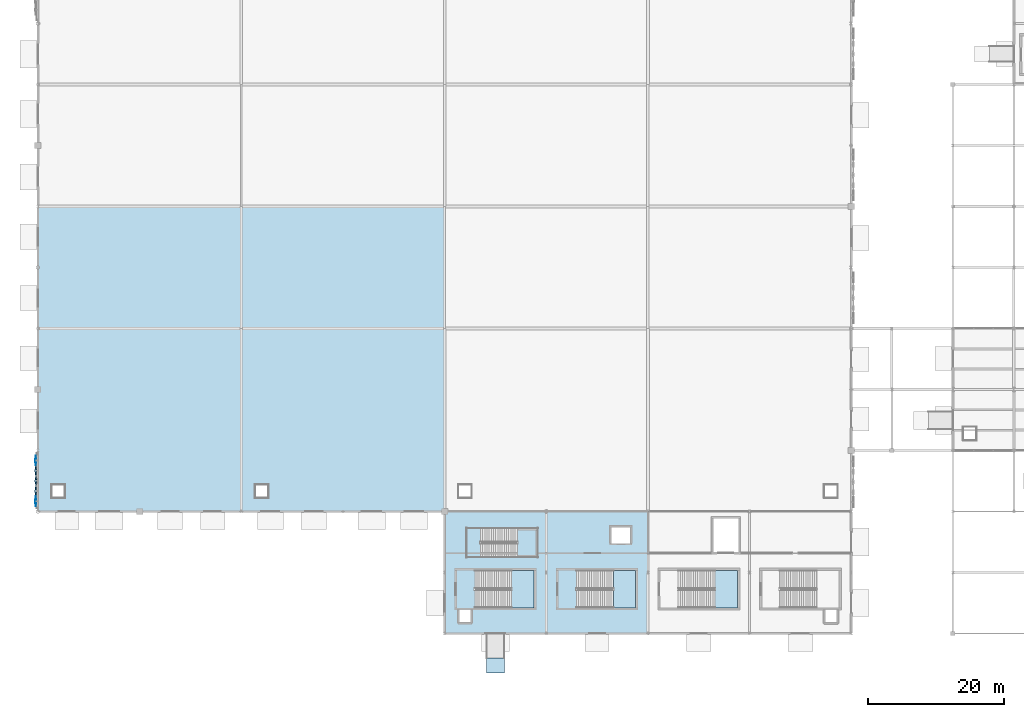
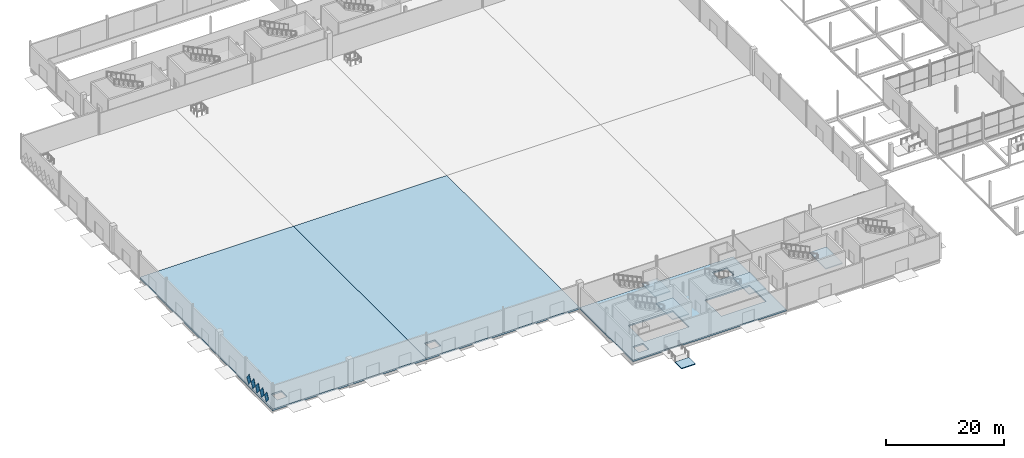
# One storey, part 43 of 94: 8 slabs, 5 plates, 5 elements without a shape of their own.
"""IFC4 building model written with IfcOpenShell, lengths in metres."""

import ifcopenshell
import ifcopenshell.guid

model = None  # the IFC model being written
_history = None  # IfcOwnerHistory: only IFC2X3 demands one
_inside = {}  # id of a spatial element -> (the spatial element, [elements in it])
_under = {}  # id of a project, library or spatial element -> (it, [spatial elements below it])
_declared = {}  # id of a project -> (the project, [libraries it declares])
_typed = {}  # id of a type object -> (the type object, [elements of that type])
_made_of = {}  # id of a material, layer set ... -> (it, [elements and type objects made of it])


def new_model(schema):
    """Start an empty IFC model of exactly this schema.

    Asked for "IFC4X3", IfcOpenShell would pick the latest addendum, in which some entities
    have other attributes; the version numbers below select the first issue.
    IFC2X3 requires an IfcOwnerHistory on every rooted entity: one is made here for all.
    """
    global model, _history
    if schema == "IFC4X3":
        model = ifcopenshell.file(schema_version=(4, 3, 0, 0))
    else:
        model = ifcopenshell.file(schema=schema)
    _inside.clear()
    _under.clear()
    _declared.clear()
    _typed.clear()
    _made_of.clear()
    _history = None
    if model.schema == "IFC2X3":
        org = make("IfcOrganization", Name="unknown")
        user = make(
            "IfcPersonAndOrganization",
            ThePerson=make("IfcPerson", FamilyName="unknown"),
            TheOrganization=org,
        )
        app = make(
            "IfcApplication",
            ApplicationDeveloper=org,
            Version="unknown",
            ApplicationFullName="unknown",
            ApplicationIdentifier="unknown",
        )
        _history = make(
            "IfcOwnerHistory",
            OwningUser=user,
            OwningApplication=app,
            ChangeAction="ADDED",
            CreationDate=0,
        )
    return model


def make(cls, **values):
    """One entity of the class cls with the attributes given. An attribute that is None is left unset."""
    return model.create_entity(
        cls, **{name: value for name, value in values.items() if value is not None}
    )


def rooted(cls, **values):
    """An entity with a GlobalId (a new one), such as an element, a storey or a relation."""
    return make(cls, GlobalId=ifcopenshell.guid.new(), OwnerHistory=_history, **values)


def si_unit(unit_type, name, prefix=None):
    """IfcSIUnit, for example si_unit("LENGTHUNIT", "METRE", prefix="MILLI")."""
    return make("IfcSIUnit", UnitType=unit_type, Prefix=prefix, Name=name)


def assignment(units):
    """IfcUnitAssignment: the units of a project."""
    return None if units is None else make("IfcUnitAssignment", Units=units)


def point(xyz):
    """IfcCartesianPoint."""
    return None if xyz is None else make("IfcCartesianPoint", Coordinates=xyz)


def direction(xyz):
    """IfcDirection."""
    return None if xyz is None else make("IfcDirection", DirectionRatios=xyz)


def frame(location, z_axis=None, x_axis=None):
    """IfcAxis2Placement3D, a coordinate frame: its origin and axes. An axis left out is left unset."""
    return make(
        "IfcAxis2Placement3D",
        Location=point(location),
        Axis=direction(z_axis),
        RefDirection=direction(x_axis),
    )


def origin():
    """The frame at (0, 0, 0) with its axes left unset."""
    return frame((0.0, 0.0, 0.0))


def place(relative_to, where):
    """IfcLocalPlacement: puts the frame where relative to a parent placement (None: the world)."""
    return make(
        "IfcLocalPlacement", PlacementRelTo=relative_to, RelativePlacement=where
    )


def context(
    kind, dimensions, precision=None, world=None, true_north=None, identifier=None
):
    """IfcGeometricRepresentationContext, for example the 3D "Model" context."""
    return make(
        "IfcGeometricRepresentationContext",
        ContextIdentifier=identifier,
        ContextType=kind,
        CoordinateSpaceDimension=dimensions,
        Precision=precision,
        WorldCoordinateSystem=world,
        TrueNorth=true_north,
    )


def subcontext(parent, identifier, kind, view, scale=None):
    """IfcGeometricRepresentationSubContext, for example "Body" below "Model"."""
    return make(
        "IfcGeometricRepresentationSubContext",
        ContextIdentifier=identifier,
        ContextType=kind,
        ParentContext=parent,
        TargetScale=scale,
        TargetView=view,
    )


def project(units=None, contexts=None):
    """IfcProject with its units and contexts."""
    return rooted(
        "IfcProject",
        Name="project",
        RepresentationContexts=contexts,
        UnitsInContext=assignment(units),
    )


def spatial(cls, under=None, at=None, **own):
    """A site, building, storey or space (cls), placed at a placement, below another one or the project."""
    s = rooted(cls, ObjectPlacement=at, **own)
    if under is not None:
        _under.setdefault(under.id(), (under, []))[1].append(s)
    return s


def polyline(points):
    """IfcPolyline through the points."""
    return make("IfcPolyline", Points=[point(p) for p in points])


def outline(outer, holes=None, kind="AREA"):
    """IfcArbitraryClosedProfileDef: a profile drawn as a closed curve; with holes, ...WithVoids."""
    if holes is None:
        return make("IfcArbitraryClosedProfileDef", ProfileType=kind, OuterCurve=outer)
    return make(
        "IfcArbitraryProfileDefWithVoids",
        ProfileType=kind,
        OuterCurve=outer,
        InnerCurves=holes,
    )


def extrude(swept, where, along, depth):
    """IfcExtrudedAreaSolid: the profile swept, set in the frame where, extruded along a direction by depth."""
    return make(
        "IfcExtrudedAreaSolid",
        SweptArea=swept,
        Position=where,
        ExtrudedDirection=direction(along),
        Depth=depth,
    )


def shape(context_of_items, identifier, shape_type, items):
    """IfcShapeRepresentation: the items that make up one representation, for example the "Body"."""
    return make(
        "IfcShapeRepresentation",
        ContextOfItems=context_of_items,
        RepresentationIdentifier=identifier,
        RepresentationType=shape_type,
        Items=items,
    )


def material(Name=None, Category=None):
    """IfcMaterial."""
    return make("IfcMaterial", Name=Name, Category=Category)


def layer(
    of_material, thickness, ventilated=None, Name=None, Category=None, Priority=None
):
    """IfcMaterialLayer: one layer of a wall or slab, of a material (None: an air gap)."""
    return make(
        "IfcMaterialLayer",
        Material=of_material,
        LayerThickness=thickness,
        IsVentilated=ventilated,
        Name=Name,
        Category=Category,
        Priority=Priority,
    )


def layer_set(layers, Name=None):
    """IfcMaterialLayerSet."""
    return make("IfcMaterialLayerSet", MaterialLayers=layers, LayerSetName=Name)


def made_of(thing, what):
    """Note that an element or type object is made of a material, layer set ...; save() writes the relation."""
    if what is not None:
        _made_of.setdefault(what.id(), (what, []))[1].append(thing)
    return thing


def type_object(cls, material=None, **own):
    """A type object (cls), such as IfcWallType, which elements share."""
    return made_of(rooted(cls, **own), material)


def element(
    cls,
    number,
    at=None,
    inside=None,
    cuts=None,
    type_object=None,
    material=None,
    context=None,
    identifier="Body",
    shape_type=None,
    held_by="IfcProductDefinitionShape",
    body=None,
    shapes=None,
    **own,
):
    """One element of the class cls, such as IfcWall. Its Tag is "e" and its number.

    at: its placement. inside: the storey or other place that contains it. cuts: it is an
    opening in that element (IfcRelVoidsElement). A single representation is given by context,
    identifier, shape_type and body (its items); several are given by shapes. held_by: the class
    of the entity that holds the representations. save() writes the other relations.
    """
    e = rooted(cls, Tag="e%d" % number, ObjectPlacement=at, **own)
    if body is not None:
        shapes = [shape(context, identifier, shape_type, body)]
    if shapes is not None:
        e.Representation = make(held_by, Representations=shapes)
    if inside is not None:
        _inside.setdefault(inside.id(), (inside, []))[1].append(e)
    if cuts is not None:
        rooted(
            "IfcRelVoidsElement", RelatingBuildingElement=cuts, RelatedOpeningElement=e
        )
    if type_object is not None:
        _typed.setdefault(type_object.id(), (type_object, []))[1].append(e)
    return made_of(e, material)


def aggregate(whole, parts):
    """IfcRelAggregates: a whole, such as a stair, and the parts it consists of."""
    return rooted("IfcRelAggregates", RelatingObject=whole, RelatedObjects=parts)


def save(model, path):
    """Write the relations noted so far, then the file.

    IfcRelAggregates (storeys below a building ...), IfcRelContainedInSpatialStructure (elements
    in a storey), IfcRelDefinesByType, IfcRelAssociatesMaterial and IfcRelDeclares: one each for
    every whole, place, type object, material and project.
    """
    for whole, parts in _under.values():
        aggregate(whole, parts)
    for where, things in _inside.values():
        rooted(
            "IfcRelContainedInSpatialStructure",
            RelatedElements=things,
            RelatingStructure=where,
        )
    for kind, things in _typed.values():
        rooted("IfcRelDefinesByType", RelatedObjects=things, RelatingType=kind)
    for what, things in _made_of.values():
        rooted("IfcRelAssociatesMaterial", RelatedObjects=things, RelatingMaterial=what)
    for by, libraries in _declared.values():
        rooted("IfcRelDeclares", RelatingContext=by, RelatedDefinitions=libraries)
    model.write(path)


model = new_model("IFC4")

# Units and contexts
model_context = context("Model", 3, precision=1e-05, world=origin(), true_north=direction((0.0, 1.0)))
body_context = subcontext(model_context, "Body", "Model", "MODEL_VIEW")
ifc_project = project(units=[si_unit("LENGTHUNIT", "METRE"), si_unit("AREAUNIT", "SQUARE_METRE"), si_unit("VOLUMEUNIT", "CUBIC_METRE"), si_unit("PLANEANGLEUNIT", "RADIAN"), si_unit("MASSUNIT", "GRAM", prefix="KILO")], contexts=[model_context])

# Site, building, storey
site_placement = place(None, origin())
site = spatial("IfcSite", under=ifc_project, at=site_placement, CompositionType="ELEMENT")
building_placement = place(site_placement, origin())
building = spatial("IfcBuilding", under=site, at=building_placement, Name="Qamarlyn Nura Convention Centre", CompositionType="ELEMENT")
storey_placement = place(building_placement, origin())
storey = spatial("IfcBuildingStorey", under=building, at=storey_placement, Name="L00", CompositionType="ELEMENT", Elevation=0.0)

# Plates
ifc_material_1 = material(Name="White high-albedo PVDF aluminium composite sheet", Category="aluminium")
ifc_layer_1 = layer(ifc_material_1, 0.02392578125, Name="FP-DIAM-03")
ifc_layer_set_1 = layer_set([ifc_layer_1], Name="White high-albedo PVDF aluminium composite sheet")
plate_type_1 = type_object("IfcPlateType", Name="FP-DIAM-03", PredefinedType="SHEET", material=ifc_layer_set_1)
for number, where, z_axis, x_axis, name in (
    (1, (-0.31005859375, 19.520751953125, 1.699951171875), (-0.998059468659, 0.0, 0.062267945373), (0.0, -1.0, 0.0), "L00 pivoted white diamond facade tile 0001"),
    (2, (-0.31005859375, 25.520751953125, 1.699951171875), (-0.998059468659, 0.0, 0.062267945373), (0.0, -1.0, 0.0), "L00 pivoted white diamond facade tile 0005"),
):
    element("IfcPlate", number, at=place(storey_placement, frame(where, z_axis=z_axis, x_axis=x_axis)), inside=storey, type_object=plate_type_1, Name=name, PredefinedType="SHEET", context=body_context, shape_type="SweptSolid", body=[
        extrude(outline(polyline([(-0.719970703125, 0.0), (0.0, -1.050048828125), (0.719970703125, 0.0), (0.0, 1.050048828125), (-0.719970703125, 0.0)])), origin(), (0.0, 0.0, 1.0), 0.02392578125),
    ])
ifc_layer_2 = layer(ifc_material_1, 0.0380859375, Name="FP-DIAM-07")
ifc_layer_set_2 = layer_set([ifc_layer_2], Name="White high-albedo PVDF aluminium composite sheet")
plate_type_2 = type_object("IfcPlateType", Name="FP-DIAM-07", PredefinedType="SHEET", material=ifc_layer_set_2)
for number, where, z_axis, x_axis, name in (
    (3, (-0.31005859375, 21.020751953125, 1.699951171875), (-0.99271534578, 0.0, 0.120483369194), (0.0, -1.0, 0.0), "L00 pivoted white diamond facade tile 0002"),
    (4, (-0.31005859375, 24.020751953125, 1.699951171875), (-0.99271534578, 0.0, 0.120483369194), (0.0, -1.0, 0.0), "L00 pivoted white diamond facade tile 0004"),
):
    element("IfcPlate", number, at=place(storey_placement, frame(where, z_axis=z_axis, x_axis=x_axis)), inside=storey, type_object=plate_type_2, Name=name, PredefinedType="SHEET", context=body_context, shape_type="SweptSolid", body=[
        extrude(outline(polyline([(-0.719970703125, 0.0), (0.0, -1.050048828125), (0.719970703125, 0.0), (0.0, 1.050048828125), (-0.719970703125, 0.0)])), origin(), (0.0, 0.0, 1.0), 0.0380859375),
    ])
ifc_layer_3 = layer(ifc_material_1, 0.0439453125, Name="FP-DIAM-08")
ifc_layer_set_3 = layer_set([ifc_layer_3], Name="White high-albedo PVDF aluminium composite sheet")
plate_type_3 = type_object("IfcPlateType", Name="FP-DIAM-08", PredefinedType="SHEET", material=ifc_layer_set_3)
plate_placement = place(storey_placement, frame((-0.31005859375, 22.520751953125, 1.699951171875), z_axis=(-0.989776230908, 0.0, 0.142628933706), x_axis=(0.0, -1.0, 0.0)))
element("IfcPlate", 5, at=plate_placement, inside=storey, type_object=plate_type_3, Name="L00 pivoted white diamond facade tile 0003", PredefinedType="SHEET", context=body_context, shape_type="SweptSolid", body=[
    extrude(outline(polyline([(-0.719970703125, 0.0), (0.0, -1.050048828125), (0.719970703125, 0.0), (0.0, 1.050048828125), (-0.719970703125, 0.0)])), origin(), (0.0, 0.0, 1.0), 0.0439453125),
])

# Slabs
ifc_material_2 = material(Name="Concrete C40/50", Category="concrete")
ifc_layer_4 = layer(ifc_material_2, 0.300048828125, Name="SL-L00")
ifc_layer_set_4 = layer_set([ifc_layer_4], Name="Concrete C40/50")
slab_type_1 = type_object("IfcSlabType", Name="SL-L00", PredefinedType="FLOOR", material=ifc_layer_set_4)
slab_1_placement = place(storey_placement, frame((0.0, 0.0, -0.300048828125)))
element("IfcSlab", 6, at=slab_1_placement, inside=storey, type_object=slab_type_1, Name="L00 floor slab L00-SF1", PredefinedType="FLOOR", context=body_context, shape_type="SweptSolid", body=[
    extrude(outline(polyline([(60.0, 18.0), (90.0, 18.0), (90.0, 0.0), (60.0, 0.0), (60.0, 18.0)]), holes=[polyline([(62.0, 3.5), (62.0, 1.5), (64.0, 1.5), (64.0, 3.5), (62.0, 3.5)]), polyline([(64.4599609375, 3.800048828125), (73.199951171875, 3.800048828125), (73.199951171875, 9.300048828125), (64.4599609375, 9.300048828125), (64.4599609375, 3.800048828125)]), polyline([(79.4599609375, 3.800048828125), (88.199951171875, 3.800048828125), (88.199951171875, 9.300048828125), (79.4599609375, 9.300048828125), (79.4599609375, 3.800048828125)]), polyline([(87.425048828125, 13.300048828125), (87.425048828125, 15.699951171875), (84.574951171875, 15.699951171875), (84.574951171875, 13.300048828125), (87.425048828125, 13.300048828125)])]), origin(), (0.0, 0.0, 1.0), 0.300048828125),
])
ifc_layer_5 = layer(ifc_material_2, 0.35009765625, Name="SL-L00-EX")
ifc_layer_set_5 = layer_set([ifc_layer_5], Name="Concrete C40/50")
slab_type_2 = type_object("IfcSlabType", Name="SL-L00-EX", PredefinedType="FLOOR", material=ifc_layer_set_5)
slab_2_placement = place(storey_placement, frame((0.0, 0.0, -0.35009765625)))
element("IfcSlab", 7, at=slab_2_placement, inside=storey, type_object=slab_type_2, Name="L00 floor slab L00-EX1", PredefinedType="FLOOR", context=body_context, shape_type="SweptSolid", body=[
    extrude(outline(polyline([(0.0, 63.0), (30.0, 63.0), (30.0, 18.0), (0.0, 18.0), (0.0, 63.0)]), holes=[polyline([(2.0, 22.0), (2.0, 20.0), (4.0, 20.0), (4.0, 22.0), (2.0, 22.0)])]), origin(), (0.0, 0.0, 1.0), 0.35009765625),
])
slab_3_placement = place(storey_placement, frame((0.0, 0.0, -0.35009765625)))
element("IfcSlab", 8, at=slab_3_placement, inside=storey, type_object=slab_type_2, Name="L00 floor slab L00-EX3", PredefinedType="FLOOR", context=body_context, shape_type="SweptSolid", body=[
    extrude(outline(polyline([(30.0, 63.0), (60.0, 63.0), (60.0, 18.0), (30.0, 18.0), (30.0, 63.0)]), holes=[polyline([(32.0, 22.0), (32.0, 20.0), (34.0, 20.0), (34.0, 22.0), (32.0, 22.0)])]), origin(), (0.0, 0.0, 1.0), 0.35009765625),
])

# Stair, slab
stair_type_1 = type_object("IfcStairType", Name="STAIR-EXIT-54", PredefinedType="HALF_TURN_STAIR", material=ifc_material_2)
stair_1_placement = place(storey_placement, origin())
stair_1 = element("IfcStair", 9, at=stair_1_placement, inside=storey, type_object=stair_type_1, Name="L00 Enclosed exit stair ST-05", PredefinedType="HALF_TURN_STAIR")
ifc_layer_6 = layer(ifc_material_2, 0.199951171875, Name="SL-LAND-200")
ifc_layer_set_6 = layer_set([ifc_layer_6], Name="Concrete C40/50")
slab_type_3 = type_object("IfcSlabType", Name="SL-LAND-200", PredefinedType="LANDING", material=ifc_layer_set_6)
slab_4_placement = place(storey_placement, frame((0.0, 0.0, 2.5)))
slab_4 = element("IfcSlab", 10, at=slab_4_placement, type_object=slab_type_3, Name="ST-05 landing 1", PredefinedType="LANDING", context=body_context, shape_type="SweptSolid", body=[
    extrude(outline(polyline([(69.89990234375, 3.800048828125), (73.199951171875, 3.800048828125), (73.199951171875, 9.300048828125), (69.89990234375, 9.300048828125), (69.89990234375, 3.800048828125)])), origin(), (0.0, 0.0, 1.0), 0.199951171875),
])
aggregate(stair_1, [slab_4])

stair_2_placement = place(storey_placement, origin())
stair_2 = element("IfcStair", 11, at=stair_2_placement, inside=storey, type_object=stair_type_1, Name="L00 Enclosed exit stair ST-06", PredefinedType="HALF_TURN_STAIR")
slab_5_placement = place(storey_placement, frame((0.0, 0.0, 2.5)))
slab_5 = element("IfcSlab", 12, at=slab_5_placement, type_object=slab_type_3, Name="ST-06 landing 1", PredefinedType="LANDING", context=body_context, shape_type="SweptSolid", body=[
    extrude(outline(polyline([(84.89990234375, 3.800048828125), (88.199951171875, 3.800048828125), (88.199951171875, 9.300048828125), (84.89990234375, 9.300048828125), (84.89990234375, 3.800048828125)])), origin(), (0.0, 0.0, 1.0), 0.199951171875),
])
aggregate(stair_2, [slab_5])

stair_3_placement = place(storey_placement, origin())
stair_3 = element("IfcStair", 13, at=stair_3_placement, inside=storey, type_object=stair_type_1, Name="L00 Enclosed exit stair ST-07", PredefinedType="HALF_TURN_STAIR")
slab_6_placement = place(storey_placement, frame((0.0, 0.0, 2.5)))
slab_6 = element("IfcSlab", 14, at=slab_6_placement, type_object=slab_type_3, Name="ST-07 landing 1", PredefinedType="LANDING", context=body_context, shape_type="SweptSolid", body=[
    extrude(outline(polyline([(99.89990234375, 3.800048828125), (103.199951171875, 3.800048828125), (103.199951171875, 9.300048828125), (99.89990234375, 9.300048828125), (99.89990234375, 3.800048828125)])), origin(), (0.0, 0.0, 1.0), 0.199951171875),
])
aggregate(stair_3, [slab_6])

stair_type_2 = type_object("IfcStairType", Name="STAIR-FOY1-54", PredefinedType="HALF_TURN_STAIR", material=ifc_material_2)
stair_4_placement = place(storey_placement, origin())
stair_4 = element("IfcStair", 15, at=stair_4_placement, inside=storey, type_object=stair_type_2, Name="L00 Foyer feature stair ST-19", PredefinedType="HALF_TURN_STAIR")
slab_7_placement = place(storey_placement, frame((0.0, 0.0, 2.5)))
slab_7 = element("IfcSlab", 16, at=slab_7_placement, type_object=slab_type_3, Name="ST-19 landing 1", PredefinedType="LANDING", context=body_context, shape_type="SweptSolid", body=[
    extrude(outline(polyline([(70.739990234375, 11.199951171875), (73.800048828125, 11.199951171875), (73.800048828125, 15.580078125), (70.739990234375, 15.580078125), (70.739990234375, 11.199951171875)])), origin(), (0.0, 0.0, 1.0), 0.199951171875),
])
aggregate(stair_4, [slab_7])

# Ramp, slab
ramp_type = type_object("IfcRampType", Name="RAMP-PED-270", PredefinedType="STRAIGHT_RUN_RAMP", material=ifc_material_2)
ramp_placement = place(storey_placement, origin())
ramp = element("IfcRamp", 17, at=ramp_placement, inside=storey, type_object=ramp_type, Name="West Exhibition accessible entrance ramp PR-03", PredefinedType="STRAIGHT_RUN_RAMP")
slab_8_placement = place(storey_placement, frame((0.0, 0.0, -0.5)))
slab_8 = element("IfcSlab", 18, at=slab_8_placement, type_object=slab_type_3, Name="West Exhibition accessible entrance ramp PR-03 landing 1", PredefinedType="LANDING", context=body_context, shape_type="SweptSolid", body=[
    extrude(outline(polyline([(66.14990234375, -5.800048828125), (68.85009765625, -5.800048828125), (68.85009765625, -3.60009765625), (66.14990234375, -3.60009765625), (66.14990234375, -5.800048828125)])), origin(), (0.0, 0.0, 1.0), 0.199951171875),
])
aggregate(ramp, [slab_8])

save(model, "model.ifc")
